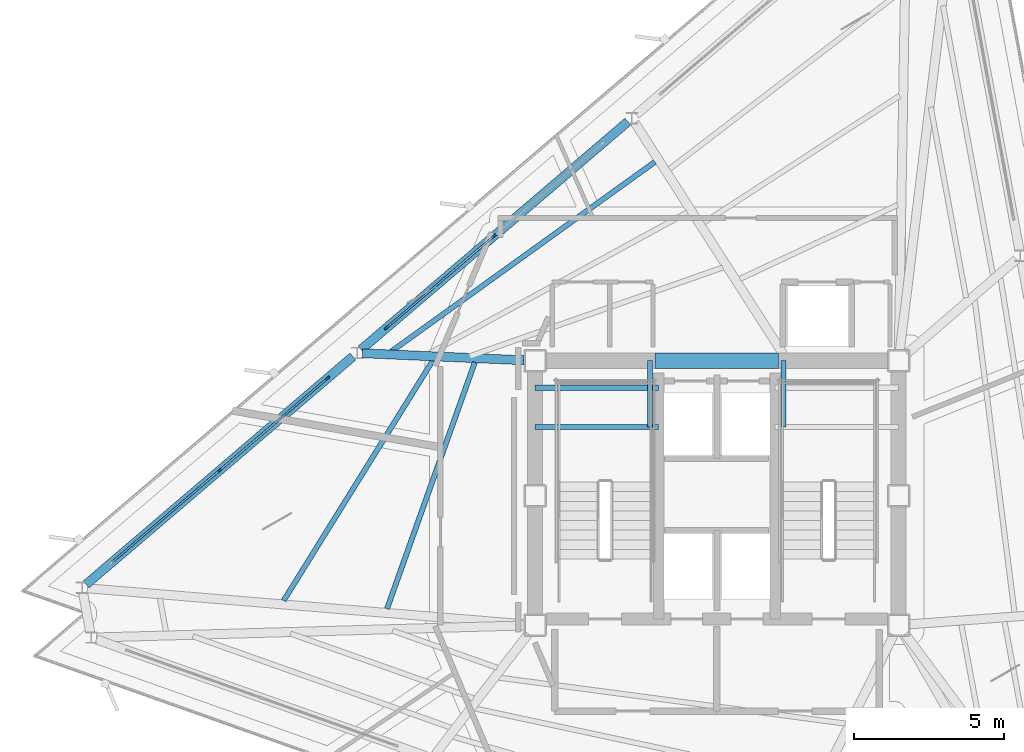
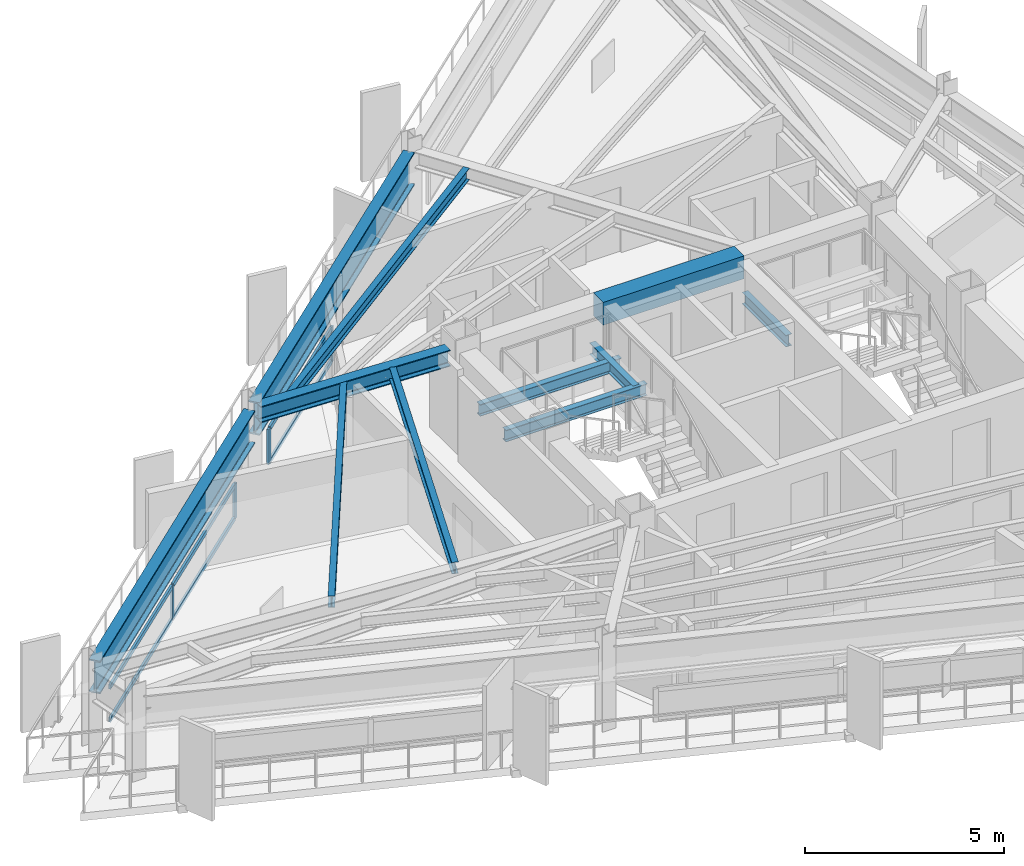
# One storey, part 4 of 14: 11 beams, 10 members, 2 elements without a shape of their own.
"""IFC4 building model written with IfcOpenShell, lengths in metres."""

from ifc_helpers import new_model, si_unit, direction, frame, origin, origin_2d, place, context, subcontext, project, spatial, rectangle, i_section, extrude, material, layer, layer_set, material_profile, profile_set, type_object, element, aggregate, save


model = new_model("IFC4")

# Units and contexts
model_context = context("Model", 3, precision=1e-05, world=origin(), true_north=direction((0.0, 1.0)))
body_context = subcontext(model_context, "Body", "Model", "MODEL_VIEW")
ifc_project = project(units=[si_unit("LENGTHUNIT", "METRE"), si_unit("AREAUNIT", "SQUARE_METRE"), si_unit("VOLUMEUNIT", "CUBIC_METRE"), si_unit("PLANEANGLEUNIT", "RADIAN"), si_unit("MASSUNIT", "GRAM", prefix="KILO")], contexts=[model_context])

# Site, building, storey
site_placement = place(None, origin())
site = spatial("IfcSite", under=ifc_project, at=site_placement, CompositionType="ELEMENT")
building_placement = place(site_placement, origin())
building = spatial("IfcBuilding", under=site, at=building_placement, Name="Rocaltana Carrier Exchange", CompositionType="ELEMENT")
storey_placement = place(building_placement, frame((0.0, 0.0, 190.56005859375)))
storey = spatial("IfcBuildingStorey", under=building, at=storey_placement, Name="L60", CompositionType="ELEMENT", Elevation=190.56005859375)

# Curtain wall, members
ifc_material_1 = material(Name="Aluminium 6063-T6", Category="aluminium")
ifc_layer = layer(ifc_material_1, 0.135009765625)
ifc_layer_set = layer_set([ifc_layer], Name="Aluminium 6063-T6")
curtain_wall_type = type_object("IfcCurtainWallType", Name="Upper-Mid Acoustic Curtain Wall CW-04", PredefinedType="NOTDEFINED", material=ifc_layer_set)
curtain_wall_1_placement = place(storey_placement, origin())
curtain_wall_1 = element("IfcCurtainWall", 1, at=curtain_wall_1_placement, inside=storey, type_object=curtain_wall_type, Name="L60 CW-04 Run CW-L60-F2S2", PredefinedType="NOTDEFINED")
ifc_material_2 = material(Name="Aluminium 6063-T6", Category="aluminium")
ifc_material_profile_1 = material_profile(ifc_material_2, rectangle(XDim=0.06494140625, YDim=0.135009765625, at=origin_2d()), Name="AL-65X135")
ifc_profile_set_1 = profile_set([ifc_material_profile_1], Name="Aluminium 6063-T6")
member_type_1 = type_object("IfcMemberType", Name="CW-04 Mullion AL-65X135", PredefinedType="MULLION", material=ifc_profile_set_1)
member_1_placement = place(storey_placement, frame((-7.39990234375, 8.6640625, 0.0), z_axis=(0.0, 0.0, 1.0), x_axis=(0.649454010067, -0.760400873756, 0.0)))
member_1 = element("IfcMember", 2, at=member_1_placement, type_object=member_type_1, Name="CW-04 mullion 2", PredefinedType="MULLION", context=body_context, shape_type="SweptSolid", body=[
    extrude(rectangle(XDim=0.06494140625, YDim=0.135009765625, at=origin_2d()), origin(), (0.0, 0.0, 1.0), 1.077880859375),
])
member_2_placement = place(storey_placement, frame((-10.999755859375, 5.58935546875, 0.0), z_axis=(0.0, 0.0, 1.0), x_axis=(0.649454010067, -0.760400873756, 0.0)))
member_2 = element("IfcMember", 3, at=member_2_placement, type_object=member_type_1, Name="CW-04 mullion 3", PredefinedType="MULLION", context=body_context, shape_type="SweptSolid", body=[
    extrude(rectangle(XDim=0.06494140625, YDim=0.135009765625, at=origin_2d()), origin(), (0.0, 0.0, 1.0), 1.077880859375),
])

curtain_wall_2_placement = place(storey_placement, origin())
curtain_wall_2 = element("IfcCurtainWall", 4, at=curtain_wall_2_placement, inside=storey, type_object=curtain_wall_type, Name="L60 CW-04 Run CW-L60-F2S3", PredefinedType="NOTDEFINED")
member_3_placement = place(storey_placement, frame((-12.9501953125, 3.923583984375, 0.0), z_axis=(0.0, 0.0, 1.0), x_axis=(0.649447944918, -0.760406053922, 0.0)))
member_3 = element("IfcMember", 5, at=member_3_placement, type_object=member_type_1, Name="CW-04 mullion 1", PredefinedType="MULLION", context=body_context, shape_type="SweptSolid", body=[
    extrude(rectangle(XDim=0.06494140625, YDim=0.135009765625, at=origin_2d()), origin(), (0.0, 0.0, 1.0), 1.077880859375),
])
member_4_placement = place(storey_placement, frame((-16.550048828125, 0.84912109375, 0.0), z_axis=(0.0, 0.0, 1.0), x_axis=(0.649447944918, -0.760406053922, 0.0)))
member_4 = element("IfcMember", 6, at=member_4_placement, type_object=member_type_1, Name="CW-04 mullion 2", PredefinedType="MULLION", context=body_context, shape_type="SweptSolid", body=[
    extrude(rectangle(XDim=0.06494140625, YDim=0.135009765625, at=origin_2d()), origin(), (0.0, 0.0, 1.0), 1.077880859375),
])

# Member
ifc_material_3 = material(Name="Aluminium 6063-T6", Category="aluminium")
ifc_material_profile_2 = material_profile(ifc_material_3, rectangle(XDim=0.06494140625, YDim=0.135009765625, at=origin_2d()), Name="AL-65X135")
ifc_profile_set_2 = profile_set([ifc_material_profile_2], Name="Aluminium 6063-T6")
member_type_2 = type_object("IfcMemberType", Name="CW-04 Transom AL-65X135", PredefinedType="USERDEFINED", material=ifc_profile_set_2)
member_5_placement = place(storey_placement, frame((-7.424560546875, 8.642822265625, 0.032470703125), z_axis=(-0.760407032825, -0.649446798768, 0.0), x_axis=(0.649446798768, -0.760407032825, 0.0)))
member_5 = element("IfcMember", 7, at=member_5_placement, type_object=member_type_2, Name="CW-04 transom 2.1", ObjectType="TRANSOM", PredefinedType="USERDEFINED", context=body_context, shape_type="SweptSolid", body=[
    extrude(rectangle(XDim=0.06494140625, YDim=0.135009765625, at=origin_2d()), origin(), (0.0, 0.0, 1.0), 4.6689453125),
])

member_6_placement = place(storey_placement, frame((-7.424560546875, 8.642822265625, 1.04541015625), z_axis=(-0.760407032825, -0.649446798768, 0.0), x_axis=(0.649446798768, -0.760407032825, 0.0)))
member_6 = element("IfcMember", 8, at=member_6_placement, type_object=member_type_2, Name="CW-04 transom 2.2", ObjectType="TRANSOM", PredefinedType="USERDEFINED", context=body_context, shape_type="SweptSolid", body=[
    extrude(rectangle(XDim=0.06494140625, YDim=0.135009765625, at=origin_2d()), origin(), (0.0, 0.0, 1.0), 4.6689453125),
])

aggregate(curtain_wall_1, [member_1, member_2, member_5, member_6])

member_7_placement = place(storey_placement, frame((-12.974853515625, 3.902587890625, 0.032470703125), z_axis=(-0.760403264899, -0.649451210432, 0.0), x_axis=(0.649451210432, -0.760403264899, 0.0)))
member_7 = element("IfcMember", 9, at=member_7_placement, type_object=member_type_2, Name="CW-04 transom 1.1", ObjectType="TRANSOM", PredefinedType="USERDEFINED", context=body_context, shape_type="SweptSolid", body=[
    extrude(rectangle(XDim=0.06494140625, YDim=0.135009765625, at=origin_2d()), origin(), (0.0, 0.0, 1.0), 4.669189453125),
])

member_8_placement = place(storey_placement, frame((-12.974853515625, 3.902587890625, 1.04541015625), z_axis=(-0.760403264899, -0.649451210432, 0.0), x_axis=(0.649451210432, -0.760403264899, 0.0)))
member_8 = element("IfcMember", 10, at=member_8_placement, type_object=member_type_2, Name="CW-04 transom 1.2", ObjectType="TRANSOM", PredefinedType="USERDEFINED", context=body_context, shape_type="SweptSolid", body=[
    extrude(rectangle(XDim=0.06494140625, YDim=0.135009765625, at=origin_2d()), origin(), (0.0, 0.0, 1.0), 4.669189453125),
])

member_9_placement = place(storey_placement, frame((-16.57470703125, 0.827880859375, 0.032470703125), z_axis=(-0.760403264899, -0.649451210432, 0.0), x_axis=(0.649451210432, -0.760403264899, 0.0)))
member_9 = element("IfcMember", 11, at=member_9_placement, type_object=member_type_2, Name="CW-04 transom 2.1", ObjectType="TRANSOM", PredefinedType="USERDEFINED", context=body_context, shape_type="SweptSolid", body=[
    extrude(rectangle(XDim=0.06494140625, YDim=0.135009765625, at=origin_2d()), origin(), (0.0, 0.0, 1.0), 4.669189453125),
])

member_10_placement = place(storey_placement, frame((-16.57470703125, 0.827880859375, 1.04541015625), z_axis=(-0.760403264899, -0.649451210432, 0.0), x_axis=(0.649451210432, -0.760403264899, 0.0)))
member_10 = element("IfcMember", 12, at=member_10_placement, type_object=member_type_2, Name="CW-04 transom 2.2", ObjectType="TRANSOM", PredefinedType="USERDEFINED", context=body_context, shape_type="SweptSolid", body=[
    extrude(rectangle(XDim=0.06494140625, YDim=0.135009765625, at=origin_2d()), origin(), (0.0, 0.0, 1.0), 4.669189453125),
])

aggregate(curtain_wall_2, [member_3, member_4, member_7, member_8, member_9, member_10])

# Beams
ifc_material_4 = material(Name="Concrete C60/75", Category="concrete")
ifc_material_profile_3 = material_profile(ifc_material_4, rectangle(XDim=0.5, YDim=0.699951171875, at=origin_2d()), Name="RC-BM-500X700")
ifc_profile_set_3 = profile_set([ifc_material_profile_3], Name="Concrete C60/75")
beam_type_1 = type_object("IfcBeamType", Name="Core Coupling Lintel 500x700", PredefinedType="LINTEL", material=ifc_profile_set_3)
beam_1_placement = place(storey_placement, frame((-2.050048828125, 4.5, 2.267822265625), z_axis=(1.0, 0.0, 0.0), x_axis=(0.0, 1.0, 0.0)))
element("IfcBeam", 13, at=beam_1_placement, inside=storey, type_object=beam_type_1, Name="L60 Core Coupling Lintel CL-N", PredefinedType="LINTEL", context=body_context, shape_type="SweptSolid", body=[
    extrude(rectangle(XDim=0.5, YDim=0.699951171875, at=origin_2d()), origin(), (0.0, 0.0, 1.0), 4.10009765625),
])
ifc_material_5 = material(Name="Steel S355", Category="steel")
ifc_material_profile_4 = material_profile(ifc_material_5, i_section(OverallWidth=0.172119140625, OverallDepth=0.35791015625, WebThickness=0.0078125, FlangeThickness=0.01318359375, FilletRadius=0.011962890625, at=origin_2d()), Name="W14X38")
ifc_profile_set_4 = profile_set([ifc_material_profile_4], Name="Steel S355")
beam_type_2 = type_object("IfcBeamType", Name="Floor Joist W14X38", PredefinedType="JOIST", material=ifc_profile_set_4)
for number, where, z_axis, x_axis, name in (
    (14, (-6.050048828125, 2.300048828125, 1.140869140625), (1.0, 0.0, 0.0), (0.0, 1.0, 0.0), "L60 ST-1 Landing Carrier 1"),
    (15, (-6.050048828125, 3.60009765625, 1.140869140625), (1.0, 0.0, 0.0), (0.0, 1.0, 0.0), "L60 ST-1 Landing Carrier 2"),
):
    element("IfcBeam", number, at=place(storey_placement, frame(where, z_axis=z_axis, x_axis=x_axis)), inside=storey, type_object=beam_type_2, Name=name, PredefinedType="JOIST", context=body_context, shape_type="SweptSolid", body=[
        extrude(i_section(OverallWidth=0.172119140625, OverallDepth=0.35791015625, WebThickness=0.0078125, FlangeThickness=0.01318359375, FilletRadius=0.011962890625, at=origin_2d()), origin(), (0.0, 0.0, 1.0), 4.110107421875),
    ])
for number, where, z_axis, x_axis, name in (
    (16, (-2.219970703125, 2.300048828125, 1.140869140625), (0.0, 1.0, 0.0), (-1.0, 0.0, 0.0), "L60 ST-1 Landing Cross Trimmer"),
    (17, (2.219970703125, 2.300048828125, 1.140869140625), (0.0, 1.0, 0.0), (-1.0, 0.0, 0.0), "L60 ST-2 Landing Cross Trimmer"),
):
    element("IfcBeam", number, at=place(storey_placement, frame(where, z_axis=z_axis, x_axis=x_axis)), inside=storey, type_object=beam_type_2, Name=name, PredefinedType="JOIST", context=body_context, shape_type="SweptSolid", body=[
        extrude(i_section(OverallWidth=0.172119140625, OverallDepth=0.35791015625, WebThickness=0.0078125, FlangeThickness=0.01318359375, FilletRadius=0.011962890625, at=origin_2d()), origin(), (0.0, 0.0, 1.0), 2.199951171875),
    ])
beam_2_placement = place(storey_placement, frame((-2.06201171875, 11.115478515625, 2.43896484375), z_axis=(-0.811946552353, -0.583731784402, 0.0), x_axis=(0.583731784402, -0.811946552353, 0.0)))
element("IfcBeam", 18, at=beam_2_placement, inside=storey, type_object=beam_type_2, Name="FJ-L60-06-3", PredefinedType="JOIST", context=body_context, shape_type="SweptSolid", body=[
    extrude(i_section(OverallWidth=0.172119140625, OverallDepth=0.35791015625, WebThickness=0.0078125, FlangeThickness=0.01318359375, FilletRadius=0.011962890625, at=origin_2d()), origin(), (0.0, 0.0, 1.0), 10.823974609375),
])
beam_3_placement = place(storey_placement, frame((-8.053466796875, 4.448974609375, 2.43896484375), z_axis=(-0.335647261926, -0.941987747034, 0.0), x_axis=(0.941987747034, -0.335647261926, 0.0)))
element("IfcBeam", 19, at=beam_3_placement, inside=storey, type_object=beam_type_2, Name="FJ-L60-07-1", PredefinedType="JOIST", context=body_context, shape_type="SweptSolid", body=[
    extrude(i_section(OverallWidth=0.172119140625, OverallDepth=0.35791015625, WebThickness=0.0078125, FlangeThickness=0.01318359375, FilletRadius=0.011962890625, at=origin_2d()), origin(), (0.0, 0.0, 1.0), 8.708740234375),
])
beam_4_placement = place(storey_placement, frame((-9.44384765625, 4.521240234375, 2.43896484375), z_axis=(-0.527698214699, -0.849431924408, 0.0), x_axis=(0.849431924408, -0.527698214699, 0.0)))
element("IfcBeam", 20, at=beam_4_placement, inside=storey, type_object=beam_type_2, Name="FJ-L60-07-2", PredefinedType="JOIST", context=body_context, shape_type="SweptSolid", body=[
    extrude(i_section(OverallWidth=0.172119140625, OverallDepth=0.35791015625, WebThickness=0.0078125, FlangeThickness=0.01318359375, FilletRadius=0.011962890625, at=origin_2d()), origin(), (0.0, 0.0, 1.0), 9.42236328125),
])
ifc_material_6 = material(Name="Steel S460", Category="steel")
ifc_material_profile_5 = material_profile(ifc_material_6, i_section(OverallWidth=0.302001953125, OverallDepth=1.008056640625, WebThickness=0.02099609375, FlangeThickness=0.0400390625, FilletRadius=0.030029296875, at=origin_2d()), Name="HEM1000")
ifc_profile_set_5 = profile_set([ifc_material_profile_5], Name="Steel S460")
beam_type_3 = type_object("IfcBeamType", Name="Transfer Ring Girder HEM1000", PredefinedType="USERDEFINED", material=ifc_profile_set_5)
for number, where, z_axis, x_axis, name in (
    (21, (-2.961181640625, 12.455078125, 2.114013671875), (-0.760397990692, -0.649457385631, 0.0), (0.649457385631, -0.760397990692, 0.0), "SP-L60-06"),
    (22, (-12.111328125, 4.639892578125, 2.114013671875), (-0.760408318274, -0.649445293693, 0.0), (0.649445293693, -0.760408318274, 0.0), "SP-L60-07"),
):
    element("IfcBeam", number, at=place(storey_placement, frame(where, z_axis=z_axis, x_axis=x_axis)), inside=storey, type_object=beam_type_3, Name=name, ObjectType="TRANSFER GIRDER", PredefinedType="USERDEFINED", context=body_context, shape_type="SweptSolid", body=[
        extrude(i_section(OverallWidth=0.302001953125, OverallDepth=1.008056640625, WebThickness=0.02099609375, FlangeThickness=0.0400390625, FilletRadius=0.030029296875, at=origin_2d()), origin(), (0.0, 0.0, 1.0), 11.67431640625),
    ])
ifc_material_7 = material(Name="Steel S355", Category="steel")
ifc_material_profile_6 = material_profile(ifc_material_7, i_section(OverallWidth=0.300048828125, OverallDepth=0.5, WebThickness=0.014404296875, FlangeThickness=0.028076171875, FilletRadius=0.027099609375, at=origin_2d()), Name="HEB500")
ifc_profile_set_6 = profile_set([ifc_material_profile_6], Name="Steel S355")
beam_type_4 = type_object("IfcBeamType", Name="Upper Radial Girder HEB500", PredefinedType="BEAM", material=ifc_profile_set_6)
beam_5_placement = place(storey_placement, frame((-6.416748046875, 4.515869140625, 2.367919921875), z_axis=(-0.999063842927, 0.043260117382, 0.0), x_axis=(-0.043260117382, -0.999063842927, 0.0)))
element("IfcBeam", 23, at=beam_5_placement, inside=storey, type_object=beam_type_4, Name="RG-L60-07", PredefinedType="BEAM", context=body_context, shape_type="SweptSolid", body=[
    extrude(i_section(OverallWidth=0.300048828125, OverallDepth=0.5, WebThickness=0.014404296875, FlangeThickness=0.028076171875, FilletRadius=0.027099609375, at=origin_2d()), origin(), (0.0, 0.0, 1.0), 5.384033203125),
])

save(model, "model.ifc")
